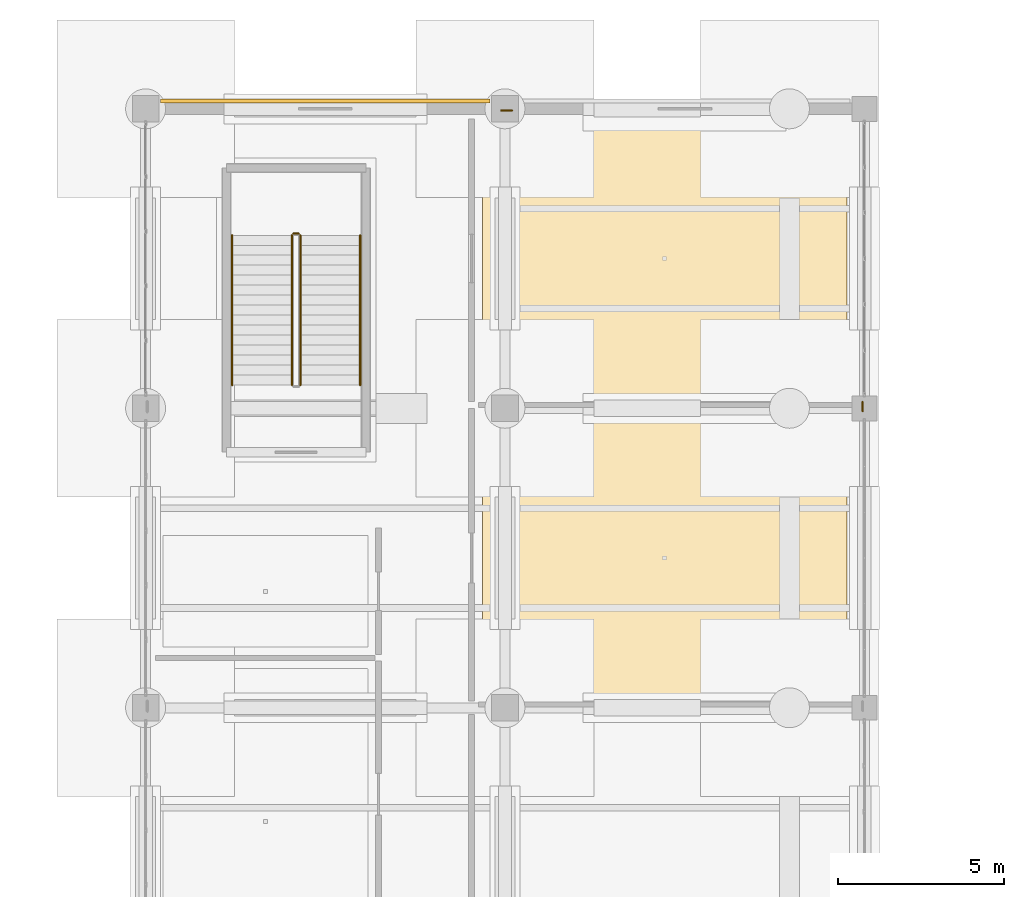
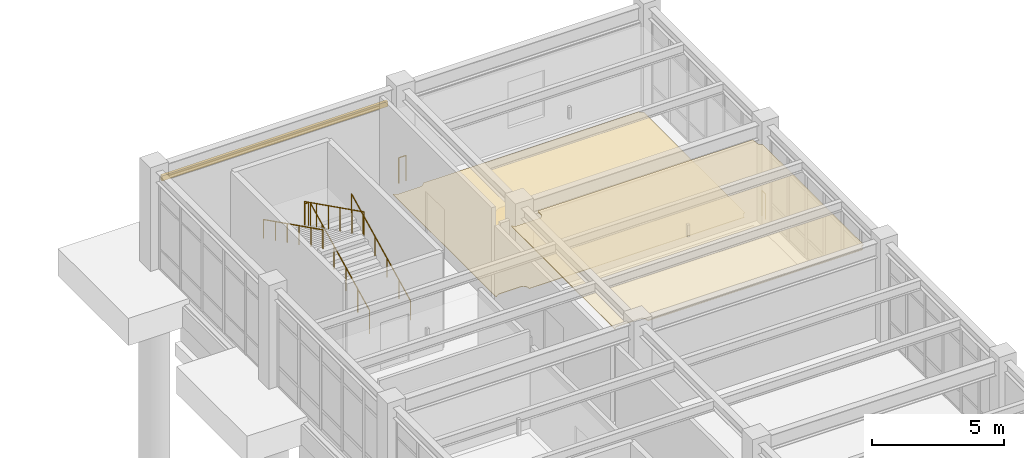
# One storey, part 94 of 98: 7 railings, 3 coverings.
"""IFC4 building model written with IfcOpenShell, lengths in metres."""

from ifc_helpers import new_model, si_unit, direction, frame, origin, origin_2d, place, context, subcontext, project, spatial, polyline, rectangle, circle, outline, extrude, material, layer, layer_set, type_object, element, save


model = new_model("IFC4")

# Units and contexts
model_context = context("Model", 3, precision=1e-05, world=origin(), true_north=direction((0.0, 1.0)))
body_context = subcontext(model_context, "Body", "Model", "MODEL_VIEW")
ifc_project = project(units=[si_unit("LENGTHUNIT", "METRE"), si_unit("AREAUNIT", "SQUARE_METRE"), si_unit("VOLUMEUNIT", "CUBIC_METRE"), si_unit("PLANEANGLEUNIT", "RADIAN"), si_unit("MASSUNIT", "GRAM", prefix="KILO")], contexts=[model_context])

# Site, building, storey
site_placement = place(None, origin())
site = spatial("IfcSite", under=ifc_project, at=site_placement, CompositionType="ELEMENT")
building_placement = place(site_placement, origin())
building = spatial("IfcBuilding", under=site, at=building_placement, Name="Canglan Escarpment Cableway Terminal", CompositionType="ELEMENT")
storey_placement = place(building_placement, frame((0.0, 0.0, 9.60009765625)))
storey = spatial("IfcBuildingStorey", under=building, at=storey_placement, Name="L02", CompositionType="ELEMENT", Elevation=9.60009765625)

# Coverings
ifc_material_1 = material(Name="Micro-perforated acoustic aluminium ceiling", Category="aluminium")
ifc_layer_1 = layer(ifc_material_1, 0.0400390625, Name="Micro-perforated acoustic aluminium ceiling")
ifc_layer_set_1 = layer_set([ifc_layer_1], Name="Micro-perforated acoustic aluminium ceiling")
covering_type_1 = type_object("IfcCoveringType", Name="COV-CEIL-ACOUSTIC-40", PredefinedType="CEILING", material=ifc_layer_set_1)
covering_1_placement = place(storey_placement, frame((0.0, 0.0, 3.9619140625)))
element("IfcCovering", 1, at=covering_1_placement, inside=storey, type_object=covering_type_1, Name="Grip NDT Inspection Bay suspended acoustic ceiling", PredefinedType="CEILING", context=body_context, shape_type="SweptSolid", body=[
    extrude(outline(polyline([(125.219970703125, 69.407470703125), (125.22021484375, 69.4091796875), (125.220458984375, 69.411376953125), (125.220947265625, 69.4130859375), (125.221435546875, 69.4150390625), (125.222412109375, 69.416748046875), (125.223388671875, 69.41845703125), (125.224609375, 69.420166015625), (125.225830078125, 69.42138671875), (125.227294921875, 69.4228515625), (125.22900390625, 69.424072265625), (125.230712890625, 69.425048828125), (125.232421875, 69.42578125), (125.234130859375, 69.426513671875), (125.236083984375, 69.427001953125), (125.238037109375, 69.42724609375), (125.239990234375, 69.427490234375), (125.241943359375, 69.42724609375), (125.243896484375, 69.427001953125), (125.245849609375, 69.426513671875), (125.247802734375, 69.42578125), (125.24951171875, 69.425048828125), (125.251220703125, 69.424072265625), (125.252685546875, 69.4228515625), (125.254150390625, 69.42138671875), (125.255615234375, 69.420166015625), (125.256591796875, 69.41845703125), (125.25732421875, 69.41748046875), (125.26953125, 69.40087890625), (125.270263671875, 69.400146484375), (125.2841796875, 69.384765625), (125.284912109375, 69.384033203125), (125.300048828125, 69.370361328125), (125.30078125, 69.36962890625), (125.3173828125, 69.357421875), (125.318115234375, 69.356689453125), (125.3359375, 69.34619140625), (125.336669921875, 69.345703125), (125.35546875, 69.3369140625), (125.356201171875, 69.336669921875), (125.375732421875, 69.32958984375), (125.376708984375, 69.329345703125), (125.396484375, 69.32421875), (125.397705078125, 69.32421875), (125.41796875, 69.321044921875), (125.4189453125, 69.321044921875), (125.439697265625, 69.320068359375), (125.440185546875, 69.320068359375), (126.35986328125, 69.320068359375), (126.360107421875, 69.320068359375), (126.381103515625, 69.321044921875), (126.382080078125, 69.321044921875), (126.40234375, 69.32421875), (126.4033203125, 69.32421875), (126.42333984375, 69.329345703125), (126.42431640625, 69.32958984375), (126.443603515625, 69.336669921875), (126.444580078125, 69.3369140625), (126.46337890625, 69.345703125), (126.464111328125, 69.34619140625), (126.481689453125, 69.356689453125), (126.482666015625, 69.357421875), (126.499267578125, 69.36962890625), (126.5, 69.370361328125), (126.51513671875, 69.384033203125), (126.515869140625, 69.384765625), (126.52978515625, 69.400146484375), (126.530517578125, 69.40087890625), (126.54248046875, 69.41748046875), (126.543212890625, 69.418212890625), (126.5537109375, 69.435791015625), (126.55419921875, 69.436767578125), (126.56298828125, 69.455322265625), (126.5634765625, 69.456298828125), (126.5703125, 69.4755859375), (126.570556640625, 69.4765625), (126.57568359375, 69.49658203125), (126.57568359375, 69.49755859375), (126.578857421875, 69.51806640625), (126.5791015625, 69.518798828125), (126.580078125, 69.539794921875), (126.580078125, 69.540283203125), (126.580078125, 69.760009765625), (126.580078125, 69.761962890625), (126.580322265625, 69.763916015625), (126.580810546875, 69.765869140625), (126.58154296875, 69.767578125), (126.58251953125, 69.769287109375), (126.58349609375, 69.77099609375), (126.58447265625, 69.772705078125), (126.5859375, 69.774169921875), (126.58740234375, 69.775390625), (126.5888671875, 69.776611328125), (126.590576171875, 69.777587890625), (126.59228515625, 69.778564453125), (126.59423828125, 69.779052734375), (126.59619140625, 69.779541015625), (126.597900390625, 69.77978515625), (126.60009765625, 69.780029296875), (136.0, 69.780029296875), (136.001953125, 69.77978515625), (136.00390625, 69.779541015625), (136.005859375, 69.779052734375), (136.0078125, 69.778564453125), (136.009521484375, 69.777587890625), (136.010986328125, 69.776611328125), (136.0126953125, 69.775390625), (136.01416015625, 69.774169921875), (136.015380859375, 69.772705078125), (136.0166015625, 69.77099609375), (136.017578125, 69.769287109375), (136.0185546875, 69.767578125), (136.01904296875, 69.765869140625), (136.01953125, 69.763916015625), (136.02001953125, 69.761962890625), (136.02001953125, 69.760009765625), (136.02001953125, 69.540283203125), (136.02001953125, 69.539794921875), (136.02099609375, 69.518798828125), (136.02099609375, 69.51806640625), (136.024169921875, 69.49755859375), (136.0244140625, 69.49658203125), (136.029296875, 69.4765625), (136.029541015625, 69.4755859375), (136.03662109375, 69.456298828125), (136.037109375, 69.455322265625), (136.0458984375, 69.436767578125), (136.046142578125, 69.435791015625), (136.056884765625, 69.418212890625), (136.057373046875, 69.41748046875), (136.069580078125, 69.40087890625), (136.0703125, 69.400146484375), (136.083984375, 69.384765625), (136.084716796875, 69.384033203125), (136.10009765625, 69.370361328125), (136.100830078125, 69.36962890625), (136.117431640625, 69.357421875), (136.1181640625, 69.356689453125), (136.135986328125, 69.34619140625), (136.13671875, 69.345703125), (136.155517578125, 69.3369140625), (136.15625, 69.336669921875), (136.166748046875, 69.332763671875), (136.16845703125, 69.33203125), (136.170166015625, 69.331298828125), (136.171630859375, 69.330078125), (136.173095703125, 69.3291015625), (136.174560546875, 69.32763671875), (136.17578125, 69.326416015625), (136.177001953125, 69.32470703125), (136.177734375, 69.322998046875), (136.1787109375, 69.3212890625), (136.17919921875, 69.319580078125), (136.1796875, 69.31787109375), (136.179931640625, 69.31591796875), (136.179931640625, 69.31396484375), (136.179931640625, 61.68603515625), (136.179931640625, 61.68408203125), (136.1796875, 61.68212890625), (136.17919921875, 61.680419921875), (136.1787109375, 61.6787109375), (136.177734375, 61.677001953125), (136.177001953125, 61.67529296875), (136.17578125, 61.673583984375), (136.174560546875, 61.67236328125), (136.173095703125, 61.6708984375), (136.171630859375, 61.669921875), (136.170166015625, 61.668701171875), (136.16845703125, 61.66796875), (136.166748046875, 61.667236328125), (136.15625, 61.663330078125), (136.155517578125, 61.6630859375), (136.13671875, 61.654296875), (136.135986328125, 61.65380859375), (136.1181640625, 61.643310546875), (136.117431640625, 61.642578125), (136.100830078125, 61.63037109375), (136.10009765625, 61.629638671875), (136.084716796875, 61.615966796875), (136.083984375, 61.615234375), (136.0703125, 61.599853515625), (136.069580078125, 61.59912109375), (136.057373046875, 61.58251953125), (136.056884765625, 61.581787109375), (136.046142578125, 61.564208984375), (136.0458984375, 61.563232421875), (136.037109375, 61.544677734375), (136.03662109375, 61.543701171875), (136.029541015625, 61.5244140625), (136.029296875, 61.5234375), (136.0244140625, 61.50341796875), (136.024169921875, 61.50244140625), (136.02099609375, 61.48193359375), (136.02099609375, 61.481201171875), (136.02001953125, 61.460205078125), (136.02001953125, 61.459716796875), (136.02001953125, 61.43994140625), (136.02001953125, 61.43798828125), (136.01953125, 61.43603515625), (136.01904296875, 61.43408203125), (136.0185546875, 61.432373046875), (136.017578125, 61.4306640625), (136.0166015625, 61.428955078125), (136.015380859375, 61.42724609375), (136.01416015625, 61.42578125), (136.0126953125, 61.424560546875), (136.010986328125, 61.42333984375), (136.009521484375, 61.42236328125), (136.0078125, 61.42138671875), (136.005859375, 61.4208984375), (136.00390625, 61.42041015625), (136.001953125, 61.420166015625), (136.0, 61.419921875), (126.60009765625, 61.419921875), (126.597900390625, 61.420166015625), (126.59619140625, 61.42041015625), (126.59423828125, 61.4208984375), (126.59228515625, 61.42138671875), (126.590576171875, 61.42236328125), (126.5888671875, 61.42333984375), (126.58740234375, 61.424560546875), (126.5859375, 61.42578125), (126.58447265625, 61.42724609375), (126.58349609375, 61.428955078125), (126.58251953125, 61.4306640625), (126.58154296875, 61.432373046875), (126.580810546875, 61.43408203125), (126.580322265625, 61.43603515625), (126.580078125, 61.43798828125), (126.580078125, 61.43994140625), (126.580078125, 61.459716796875), (126.580078125, 61.460205078125), (126.5791015625, 61.481201171875), (126.578857421875, 61.48193359375), (126.57568359375, 61.50244140625), (126.57568359375, 61.50341796875), (126.570556640625, 61.5234375), (126.5703125, 61.5244140625), (126.5634765625, 61.543701171875), (126.56298828125, 61.544677734375), (126.55419921875, 61.563232421875), (126.5537109375, 61.564208984375), (126.543212890625, 61.581787109375), (126.54248046875, 61.58251953125), (126.530517578125, 61.59912109375), (126.52978515625, 61.599853515625), (126.515869140625, 61.615234375), (126.51513671875, 61.615966796875), (126.5, 61.629638671875), (126.499267578125, 61.63037109375), (126.482666015625, 61.642578125), (126.481689453125, 61.643310546875), (126.464111328125, 61.65380859375), (126.46337890625, 61.654296875), (126.444580078125, 61.6630859375), (126.443603515625, 61.663330078125), (126.42431640625, 61.67041015625), (126.42333984375, 61.670654296875), (126.4033203125, 61.67578125), (126.40234375, 61.67578125), (126.382080078125, 61.678955078125), (126.381103515625, 61.678955078125), (126.360107421875, 61.679931640625), (126.35986328125, 61.679931640625), (125.440185546875, 61.679931640625), (125.439697265625, 61.679931640625), (125.4189453125, 61.678955078125), (125.41796875, 61.678955078125), (125.397705078125, 61.67578125), (125.396484375, 61.67578125), (125.376708984375, 61.670654296875), (125.375732421875, 61.67041015625), (125.356201171875, 61.663330078125), (125.35546875, 61.6630859375), (125.336669921875, 61.654296875), (125.3359375, 61.65380859375), (125.318115234375, 61.643310546875), (125.3173828125, 61.642578125), (125.30078125, 61.63037109375), (125.300048828125, 61.629638671875), (125.284912109375, 61.615966796875), (125.2841796875, 61.615234375), (125.270263671875, 61.599853515625), (125.26953125, 61.59912109375), (125.25732421875, 61.58251953125), (125.256591796875, 61.58154296875), (125.255615234375, 61.579833984375), (125.254150390625, 61.57861328125), (125.252685546875, 61.5771484375), (125.251220703125, 61.575927734375), (125.24951171875, 61.574951171875), (125.247802734375, 61.57421875), (125.245849609375, 61.573486328125), (125.243896484375, 61.572998046875), (125.241943359375, 61.57275390625), (125.239990234375, 61.572509765625), (125.238037109375, 61.57275390625), (125.236083984375, 61.572998046875), (125.234130859375, 61.573486328125), (125.232421875, 61.57421875), (125.230712890625, 61.574951171875), (125.22900390625, 61.575927734375), (125.227294921875, 61.5771484375), (125.225830078125, 61.57861328125), (125.224609375, 61.579833984375), (125.223388671875, 61.58154296875), (125.222412109375, 61.583251953125), (125.221435546875, 61.5849609375), (125.220947265625, 61.5869140625), (125.220458984375, 61.588623046875), (125.22021484375, 61.5908203125), (125.219970703125, 61.592529296875), (125.219970703125, 69.407470703125)])), origin(), (0.0, 0.0, 1.0), 0.0400390625),
])
ifc_material_2 = material(Name="Carved classical limestone cornice", Category="masonry")
ifc_layer_2 = layer(ifc_material_2, 0.1201171875, Name="Carved classical limestone cornice")
ifc_layer_set_2 = layer_set([ifc_layer_2], Name="Carved classical limestone cornice")
covering_type_2 = type_object("IfcCoveringType", Name="COV-CORNICE-STONE", PredefinedType="CLADDING", material=ifc_layer_set_2)
covering_2_placement = place(storey_placement, frame((120.5, 79.22998046875, 3.544921875), z_axis=(0.0, 0.0, 1.0), x_axis=(-1.0, 0.0, 0.0)))
element("IfcCovering", 2, at=covering_2_placement, inside=storey, type_object=covering_type_2, Name="Classical carved limestone cornice CL-01", PredefinedType="CLADDING", context=body_context, shape_type="SweptSolid", body=[
    extrude(rectangle(XDim=9.89990234375, YDim=0.1201171875, at=origin_2d()), origin(), (0.0, 0.0, 1.0), 0.239990234375),
])
ifc_material_3 = material(Name="Polished mineral terrazzo flooring", Category="concrete")
ifc_layer_3 = layer(ifc_material_3, 0.02001953125, Name="Polished mineral terrazzo flooring")
ifc_layer_set_3 = layer_set([ifc_layer_3], Name="Polished mineral terrazzo flooring")
covering_type_3 = type_object("IfcCoveringType", Name="COV-FLR-TERRAZZO-20", PredefinedType="FLOORING", material=ifc_layer_set_3)
covering_3_placement = place(storey_placement, origin())
element("IfcCovering", 3, at=covering_3_placement, inside=storey, type_object=covering_type_3, Name="Gondola Bogie Overhaul Bay stone floor finish", PredefinedType="FLOORING", context=body_context, shape_type="SweptSolid", body=[
    extrude(outline(polyline([(125.219970703125, 78.407470703125), (125.22021484375, 78.4091796875), (125.220458984375, 78.411376953125), (125.220947265625, 78.4130859375), (125.221435546875, 78.4150390625), (125.222412109375, 78.416748046875), (125.223388671875, 78.41845703125), (125.224609375, 78.420166015625), (125.225830078125, 78.42138671875), (125.227294921875, 78.4228515625), (125.22900390625, 78.424072265625), (125.230712890625, 78.425048828125), (125.232421875, 78.42578125), (125.234130859375, 78.426513671875), (125.236083984375, 78.427001953125), (125.238037109375, 78.42724609375), (125.239990234375, 78.427490234375), (125.241943359375, 78.42724609375), (125.243896484375, 78.427001953125), (125.245849609375, 78.426513671875), (125.247802734375, 78.42578125), (125.24951171875, 78.425048828125), (125.251220703125, 78.424072265625), (125.252685546875, 78.4228515625), (125.254150390625, 78.42138671875), (125.255615234375, 78.420166015625), (125.256591796875, 78.41845703125), (125.25732421875, 78.41748046875), (125.26953125, 78.40087890625), (125.270263671875, 78.400146484375), (125.2841796875, 78.384765625), (125.284912109375, 78.384033203125), (125.300048828125, 78.370361328125), (125.30078125, 78.36962890625), (125.3173828125, 78.357421875), (125.318115234375, 78.356689453125), (125.3359375, 78.34619140625), (125.336669921875, 78.345703125), (125.35546875, 78.3369140625), (125.356201171875, 78.336669921875), (125.375732421875, 78.32958984375), (125.376708984375, 78.329345703125), (125.396484375, 78.32421875), (125.397705078125, 78.32421875), (125.41796875, 78.321044921875), (125.4189453125, 78.321044921875), (125.439697265625, 78.320068359375), (125.440185546875, 78.320068359375), (126.35986328125, 78.320068359375), (126.360107421875, 78.320068359375), (126.381103515625, 78.321044921875), (126.382080078125, 78.321044921875), (126.40234375, 78.32421875), (126.4033203125, 78.32421875), (126.42333984375, 78.329345703125), (126.42431640625, 78.32958984375), (126.443603515625, 78.336669921875), (126.444580078125, 78.3369140625), (126.46337890625, 78.345703125), (126.464111328125, 78.34619140625), (126.481689453125, 78.356689453125), (126.482666015625, 78.357421875), (126.499267578125, 78.36962890625), (126.5, 78.370361328125), (126.51513671875, 78.384033203125), (126.515869140625, 78.384765625), (126.52978515625, 78.400146484375), (126.530517578125, 78.40087890625), (126.54248046875, 78.41748046875), (126.543212890625, 78.418212890625), (126.5537109375, 78.435791015625), (126.55419921875, 78.436767578125), (126.56298828125, 78.455322265625), (126.5634765625, 78.456298828125), (126.567138671875, 78.466796875), (126.56787109375, 78.468505859375), (126.56884765625, 78.47021484375), (126.56982421875, 78.4716796875), (126.571044921875, 78.47314453125), (126.572265625, 78.474609375), (126.57373046875, 78.475830078125), (126.5751953125, 78.476806640625), (126.576904296875, 78.477783203125), (126.57861328125, 78.478515625), (126.580322265625, 78.479248046875), (126.582275390625, 78.4794921875), (126.583984375, 78.47998046875), (126.5859375, 78.47998046875), (136.013916015625, 78.47998046875), (136.01611328125, 78.47998046875), (136.01806640625, 78.4794921875), (136.02001953125, 78.47900390625), (136.02197265625, 78.478271484375), (136.023681640625, 78.477294921875), (136.025390625, 78.476318359375), (136.027099609375, 78.47509765625), (136.028564453125, 78.4736328125), (136.02978515625, 78.47216796875), (136.031005859375, 78.470458984375), (136.031982421875, 78.468505859375), (136.03271484375, 78.466796875), (136.03662109375, 78.456298828125), (136.037109375, 78.455322265625), (136.0458984375, 78.436767578125), (136.046142578125, 78.435791015625), (136.056884765625, 78.418212890625), (136.057373046875, 78.41748046875), (136.069580078125, 78.40087890625), (136.0703125, 78.400146484375), (136.083984375, 78.384765625), (136.084716796875, 78.384033203125), (136.10009765625, 78.370361328125), (136.100830078125, 78.36962890625), (136.117431640625, 78.357421875), (136.1181640625, 78.356689453125), (136.135986328125, 78.34619140625), (136.13671875, 78.345703125), (136.155517578125, 78.3369140625), (136.15625, 78.336669921875), (136.166748046875, 78.332763671875), (136.16845703125, 78.33203125), (136.170166015625, 78.331298828125), (136.171630859375, 78.330078125), (136.173095703125, 78.3291015625), (136.174560546875, 78.32763671875), (136.17578125, 78.326416015625), (136.177001953125, 78.32470703125), (136.177734375, 78.322998046875), (136.1787109375, 78.3212890625), (136.17919921875, 78.319580078125), (136.1796875, 78.31787109375), (136.179931640625, 78.31591796875), (136.179931640625, 78.31396484375), (136.179931640625, 70.68603515625), (136.179931640625, 70.68408203125), (136.1796875, 70.68212890625), (136.17919921875, 70.680419921875), (136.1787109375, 70.6787109375), (136.177734375, 70.677001953125), (136.177001953125, 70.67529296875), (136.17578125, 70.673583984375), (136.174560546875, 70.67236328125), (136.173095703125, 70.6708984375), (136.171630859375, 70.669921875), (136.170166015625, 70.668701171875), (136.16845703125, 70.66796875), (136.166748046875, 70.667236328125), (136.15625, 70.663330078125), (136.155517578125, 70.6630859375), (136.13671875, 70.654296875), (136.135986328125, 70.65380859375), (136.1181640625, 70.643310546875), (136.117431640625, 70.642578125), (136.100830078125, 70.63037109375), (136.10009765625, 70.629638671875), (136.084716796875, 70.615966796875), (136.083984375, 70.615234375), (136.0703125, 70.599853515625), (136.069580078125, 70.59912109375), (136.057373046875, 70.58251953125), (136.056884765625, 70.581787109375), (136.046142578125, 70.564208984375), (136.0458984375, 70.563232421875), (136.037109375, 70.544677734375), (136.03662109375, 70.543701171875), (136.029541015625, 70.5244140625), (136.029296875, 70.5234375), (136.0244140625, 70.50341796875), (136.024169921875, 70.50244140625), (136.02099609375, 70.48193359375), (136.02099609375, 70.481201171875), (136.02001953125, 70.460205078125), (136.02001953125, 70.459716796875), (136.02001953125, 70.43994140625), (136.02001953125, 70.43798828125), (136.01953125, 70.43603515625), (136.01904296875, 70.43408203125), (136.0185546875, 70.432373046875), (136.017578125, 70.4306640625), (136.0166015625, 70.428955078125), (136.015380859375, 70.42724609375), (136.01416015625, 70.42578125), (136.0126953125, 70.424560546875), (136.010986328125, 70.42333984375), (136.009521484375, 70.42236328125), (136.0078125, 70.42138671875), (136.005859375, 70.4208984375), (136.00390625, 70.42041015625), (136.001953125, 70.420166015625), (136.0, 70.419921875), (126.60009765625, 70.419921875), (126.597900390625, 70.420166015625), (126.59619140625, 70.42041015625), (126.59423828125, 70.4208984375), (126.59228515625, 70.42138671875), (126.590576171875, 70.42236328125), (126.5888671875, 70.42333984375), (126.58740234375, 70.424560546875), (126.5859375, 70.42578125), (126.58447265625, 70.42724609375), (126.58349609375, 70.428955078125), (126.58251953125, 70.4306640625), (126.58154296875, 70.432373046875), (126.580810546875, 70.43408203125), (126.580322265625, 70.43603515625), (126.580078125, 70.43798828125), (126.580078125, 70.43994140625), (126.580078125, 70.459716796875), (126.580078125, 70.460205078125), (126.5791015625, 70.481201171875), (126.578857421875, 70.48193359375), (126.57568359375, 70.50244140625), (126.57568359375, 70.50341796875), (126.570556640625, 70.5234375), (126.5703125, 70.5244140625), (126.5634765625, 70.543701171875), (126.56298828125, 70.544677734375), (126.55419921875, 70.563232421875), (126.5537109375, 70.564208984375), (126.543212890625, 70.581787109375), (126.54248046875, 70.58251953125), (126.530517578125, 70.59912109375), (126.52978515625, 70.599853515625), (126.515869140625, 70.615234375), (126.51513671875, 70.615966796875), (126.5, 70.629638671875), (126.499267578125, 70.63037109375), (126.482666015625, 70.642578125), (126.481689453125, 70.643310546875), (126.464111328125, 70.65380859375), (126.46337890625, 70.654296875), (126.444580078125, 70.6630859375), (126.443603515625, 70.663330078125), (126.42431640625, 70.67041015625), (126.42333984375, 70.670654296875), (126.4033203125, 70.67578125), (126.40234375, 70.67578125), (126.382080078125, 70.678955078125), (126.381103515625, 70.678955078125), (126.360107421875, 70.679931640625), (126.35986328125, 70.679931640625), (125.440185546875, 70.679931640625), (125.439697265625, 70.679931640625), (125.4189453125, 70.678955078125), (125.41796875, 70.678955078125), (125.397705078125, 70.67578125), (125.396484375, 70.67578125), (125.376708984375, 70.670654296875), (125.375732421875, 70.67041015625), (125.356201171875, 70.663330078125), (125.35546875, 70.6630859375), (125.336669921875, 70.654296875), (125.3359375, 70.65380859375), (125.318115234375, 70.643310546875), (125.3173828125, 70.642578125), (125.30078125, 70.63037109375), (125.300048828125, 70.629638671875), (125.284912109375, 70.615966796875), (125.2841796875, 70.615234375), (125.270263671875, 70.599853515625), (125.26953125, 70.59912109375), (125.25732421875, 70.58251953125), (125.256591796875, 70.58154296875), (125.255615234375, 70.579833984375), (125.254150390625, 70.57861328125), (125.252685546875, 70.5771484375), (125.251220703125, 70.575927734375), (125.24951171875, 70.574951171875), (125.247802734375, 70.57421875), (125.245849609375, 70.573486328125), (125.243896484375, 70.572998046875), (125.241943359375, 70.57275390625), (125.239990234375, 70.572509765625), (125.238037109375, 70.57275390625), (125.236083984375, 70.572998046875), (125.234130859375, 70.573486328125), (125.232421875, 70.57421875), (125.230712890625, 70.574951171875), (125.22900390625, 70.575927734375), (125.227294921875, 70.5771484375), (125.225830078125, 70.57861328125), (125.224609375, 70.579833984375), (125.223388671875, 70.58154296875), (125.222412109375, 70.583251953125), (125.221435546875, 70.5849609375), (125.220947265625, 70.5869140625), (125.220458984375, 70.588623046875), (125.22021484375, 70.5908203125), (125.219970703125, 70.592529296875), (125.219970703125, 78.407470703125)])), origin(), (0.0, 0.0, 1.0), 0.02001953125),
])

# Railings
ifc_material_4 = material(Name="Carved limestone and anodized bronze balustrade", Category="masonry")
railing_type_1 = type_object("IfcRailingType", Name="RL-EXT-BALUSTRADE-1200", PredefinedType="BALUSTRADE", material=ifc_material_4)
railing_1_placement = place(storey_placement, frame((125.7900390625, 78.949951171875, 0.0)))
element("IfcRailing", 4, at=railing_1_placement, inside=storey, type_object=railing_type_1, Name="Classical terrace balustrade guard GD-01 (L02)", PredefinedType="BALUSTRADE", context=body_context, shape_type="SweptSolid", body=[
    extrude(circle(Radius=0.02392578125, at=origin_2d()), frame((0.0, 0.0, 1.17578125), z_axis=(1.0, 0.0, 0.0), x_axis=(0.0, 1.0, 0.0)), (0.0, 0.0, 1.0), 0.320068359375),
    extrude(circle(Radius=0.02099609375, at=origin_2d()), origin(), (0.0, 0.0, 1.0), 1.15185546875),
    extrude(circle(Radius=0.02099609375, at=origin_2d()), frame((0.320068359375, 0.0, 0.0)), (0.0, 0.0, 1.0), 1.15185546875),
])
railing_2_placement = place(storey_placement, frame((136.64990234375, 70.18505859375, 0.0)))
element("IfcRailing", 5, at=railing_2_placement, inside=storey, type_object=railing_type_1, Name="Classical terrace balustrade guard GD-01 (L02)", PredefinedType="BALUSTRADE", context=body_context, shape_type="SweptSolid", body=[
    extrude(circle(Radius=0.02392578125, at=origin_2d()), frame((0.0, 0.0, 1.17578125), z_axis=(0.0, -1.0, 0.0), x_axis=(1.0, 0.0, 0.0)), (0.0, 0.0, 1.0), 0.27001953125),
    extrude(circle(Radius=0.02099609375, at=origin_2d()), origin(), (0.0, 0.0, 1.0), 1.15185546875),
    extrude(circle(Radius=0.02099609375, at=origin_2d()), frame((0.0, -0.27001953125, 0.0)), (0.0, 0.0, 1.0), 1.15185546875),
])
ifc_material_5 = material(Name="Powder-coated steel stair balustrade", Category="steel")
railing_type_2 = type_object("IfcRailingType", Name="RL-STR-GUARD-1100", PredefinedType="BALUSTRADE", material=ifc_material_5)
railing_3_placement = place(storey_placement, frame((119.75, 70.699951171875, 0.14990234375)))
element("IfcRailing", 6, at=railing_3_placement, inside=storey, type_object=railing_type_2, Name="L02 ST-11 stair guard 1", PredefinedType="BALUSTRADE", context=body_context, shape_type="SweptSolid", body=[
    extrude(circle(Radius=0.02392578125, at=origin_2d()), frame((0.0, 0.0, 1.076171875), z_axis=(0.0, 0.894427191, 0.4472135955), x_axis=(-1.0, 0.0, 0.0)), (0.0, 0.0, 1.0), 5.03125),
    extrude(circle(Radius=0.02099609375, at=origin_2d()), origin(), (0.0, 0.0, 1.0), 1.052001953125),
    extrude(circle(Radius=0.02099609375, at=origin_2d()), frame((0.0, 0.89990234375, 0.449951171875)), (0.0, 0.0, 1.0), 1.052001953125),
    extrude(circle(Radius=0.02099609375, at=origin_2d()), frame((0.0, 1.800048828125, 0.89990234375)), (0.0, 0.0, 1.0), 1.052001953125),
    extrude(circle(Radius=0.02099609375, at=origin_2d()), frame((0.0, 2.699951171875, 1.35009765625)), (0.0, 0.0, 1.0), 1.052001953125),
    extrude(circle(Radius=0.02099609375, at=origin_2d()), frame((0.0, 3.60009765625, 1.800048828125)), (0.0, 0.0, 1.0), 1.052001953125),
    extrude(circle(Radius=0.02099609375, at=origin_2d()), frame((0.0, 4.5, 2.25)), (0.0, 0.0, 1.0), 1.052001953125),
])
railing_4_placement = place(storey_placement, frame((119.699951171875, 75.25, 2.39990234375)))
element("IfcRailing", 7, at=railing_4_placement, inside=storey, type_object=railing_type_2, Name="L02 ST-11 stair guard 2", PredefinedType="BALUSTRADE", context=body_context, shape_type="SweptSolid", body=[
    extrude(circle(Radius=0.02392578125, at=origin_2d()), frame((0.0, 0.0, 1.076171875), z_axis=(-1.0, 0.0, 0.0), x_axis=(0.0, -1.0, 0.0)), (0.0, 0.0, 1.0), 0.14990234375),
    extrude(circle(Radius=0.02099609375, at=origin_2d()), origin(), (0.0, 0.0, 1.0), 1.052001953125),
    extrude(circle(Radius=0.02099609375, at=origin_2d()), frame((-0.14990234375, 0.0, 0.0)), (0.0, 0.0, 1.0), 1.052001953125),
])
railing_5_placement = place(storey_placement, frame((119.5, 75.199951171875, 2.5498046875)))
element("IfcRailing", 8, at=railing_5_placement, inside=storey, type_object=railing_type_2, Name="L02 ST-11 stair guard 3", PredefinedType="BALUSTRADE", context=body_context, shape_type="SweptSolid", body=[
    extrude(circle(Radius=0.02392578125, at=origin_2d()), frame((0.0, 0.0, 1.076171875), z_axis=(0.0, -0.894427191, 0.4472135955), x_axis=(1.0, 0.0, 0.0)), (0.0, 0.0, 1.0), 5.03125),
    extrude(circle(Radius=0.02099609375, at=origin_2d()), origin(), (0.0, 0.0, 1.0), 1.052001953125),
    extrude(circle(Radius=0.02099609375, at=origin_2d()), frame((0.0, -0.89990234375, 0.449951171875)), (0.0, 0.0, 1.0), 1.052001953125),
    extrude(circle(Radius=0.02099609375, at=origin_2d()), frame((0.0, -1.800048828125, 0.89990234375)), (0.0, 0.0, 1.0), 1.052001953125),
    extrude(circle(Radius=0.02099609375, at=origin_2d()), frame((0.0, -2.699951171875, 1.35009765625)), (0.0, 0.0, 1.0), 1.052001953125),
    extrude(circle(Radius=0.02099609375, at=origin_2d()), frame((0.0, -3.60009765625, 1.800048828125)), (0.0, 0.0, 1.0), 1.052001953125),
    extrude(circle(Radius=0.02099609375, at=origin_2d()), frame((0.0, -4.5, 2.25)), (0.0, 0.0, 1.0), 1.052001953125),
])
ifc_material_6 = material(Name="Brushed stainless steel 304 handrail", Category="steel")
railing_type_3 = type_object("IfcRailingType", Name="RL-STR-HR-900", PredefinedType="HANDRAIL", material=ifc_material_6)
railing_6_placement = place(storey_placement, frame((121.550048828125, 70.699951171875, 0.14990234375)))
element("IfcRailing", 9, at=railing_6_placement, inside=storey, type_object=railing_type_3, Name="L02 ST-11 stair handrail 1", PredefinedType="HANDRAIL", context=body_context, shape_type="SweptSolid", body=[
    extrude(circle(Radius=0.02392578125, at=origin_2d()), frame((0.0, 0.0, 0.8759765625), z_axis=(0.0, 0.894427191, 0.4472135955), x_axis=(-1.0, 0.0, 0.0)), (0.0, 0.0, 1.0), 5.03125),
    extrude(circle(Radius=0.02099609375, at=origin_2d()), origin(), (0.0, 0.0, 1.0), 0.851806640625),
    extrude(circle(Radius=0.02099609375, at=origin_2d()), frame((0.0, 0.89990234375, 0.449951171875)), (0.0, 0.0, 1.0), 0.851806640625),
    extrude(circle(Radius=0.02099609375, at=origin_2d()), frame((0.0, 1.800048828125, 0.89990234375)), (0.0, 0.0, 1.0), 0.851806640625),
    extrude(circle(Radius=0.02099609375, at=origin_2d()), frame((0.0, 2.699951171875, 1.35009765625)), (0.0, 0.0, 1.0), 0.851806640625),
    extrude(circle(Radius=0.02099609375, at=origin_2d()), frame((0.0, 3.60009765625, 1.800048828125)), (0.0, 0.0, 1.0), 0.851806640625),
    extrude(circle(Radius=0.02099609375, at=origin_2d()), frame((0.0, 4.5, 2.25)), (0.0, 0.0, 1.0), 0.851806640625),
])
railing_7_placement = place(storey_placement, frame((117.699951171875, 75.199951171875, 2.5498046875)))
element("IfcRailing", 10, at=railing_7_placement, inside=storey, type_object=railing_type_3, Name="L02 ST-11 stair handrail 2", PredefinedType="HANDRAIL", context=body_context, shape_type="SweptSolid", body=[
    extrude(circle(Radius=0.02392578125, at=origin_2d()), frame((0.0, 0.0, 0.8759765625), z_axis=(0.0, -0.894427191, 0.4472135955), x_axis=(1.0, 0.0, 0.0)), (0.0, 0.0, 1.0), 5.03125),
    extrude(circle(Radius=0.02099609375, at=origin_2d()), origin(), (0.0, 0.0, 1.0), 0.851806640625),
    extrude(circle(Radius=0.02099609375, at=origin_2d()), frame((0.0, -0.89990234375, 0.449951171875)), (0.0, 0.0, 1.0), 0.851806640625),
    extrude(circle(Radius=0.02099609375, at=origin_2d()), frame((0.0, -1.800048828125, 0.89990234375)), (0.0, 0.0, 1.0), 0.851806640625),
    extrude(circle(Radius=0.02099609375, at=origin_2d()), frame((0.0, -2.699951171875, 1.35009765625)), (0.0, 0.0, 1.0), 0.851806640625),
    extrude(circle(Radius=0.02099609375, at=origin_2d()), frame((0.0, -3.60009765625, 1.800048828125)), (0.0, 0.0, 1.0), 0.851806640625),
    extrude(circle(Radius=0.02099609375, at=origin_2d()), frame((0.0, -4.5, 2.25)), (0.0, 0.0, 1.0), 0.851806640625),
])

save(model, "model.ifc")
